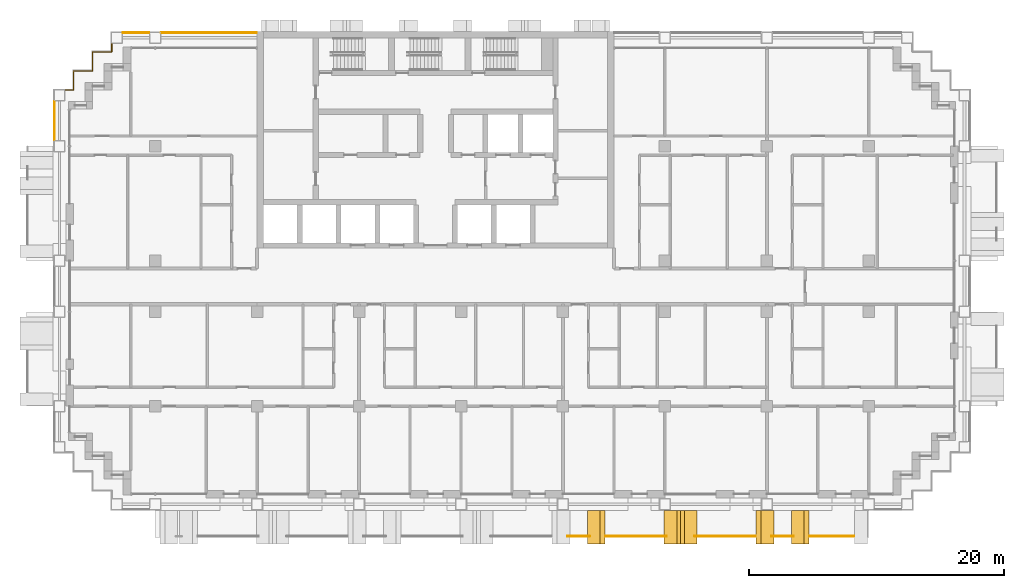
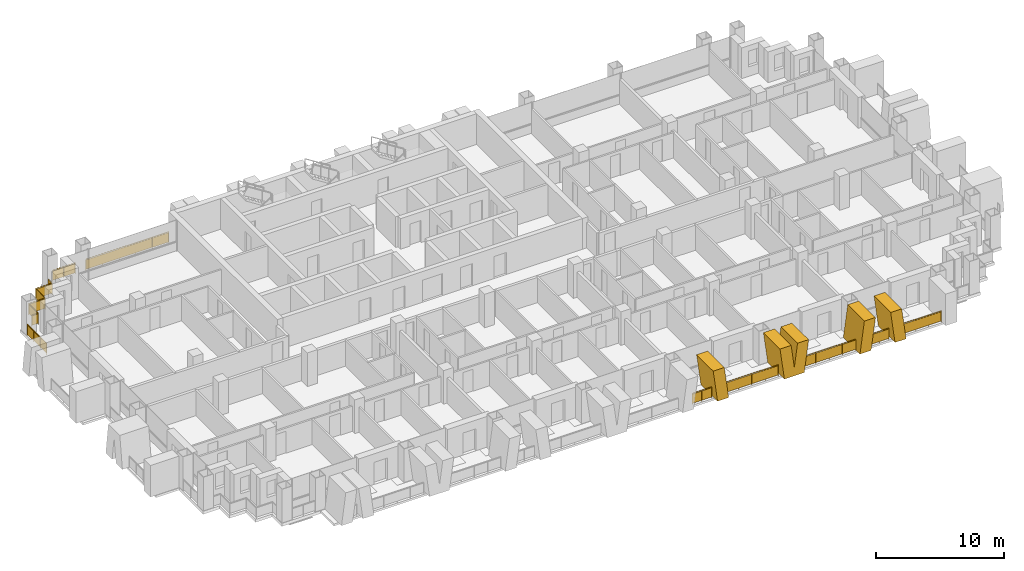
# One storey, part 16 of 18: 9 railings, 4 shading devices.
"""IFC4 building model written with IfcOpenShell, lengths in metres."""

import ifcopenshell
import ifcopenshell.guid

model = None  # the IFC model being written
_history = None  # IfcOwnerHistory: only IFC2X3 demands one
_inside = {}  # id of a spatial element -> (the spatial element, [elements in it])
_under = {}  # id of a project, library or spatial element -> (it, [spatial elements below it])
_declared = {}  # id of a project -> (the project, [libraries it declares])
_typed = {}  # id of a type object -> (the type object, [elements of that type])
_made_of = {}  # id of a material, layer set ... -> (it, [elements and type objects made of it])


def new_model(schema):
    """Start an empty IFC model of exactly this schema.

    Asked for "IFC4X3", IfcOpenShell would pick the latest addendum, in which some entities
    have other attributes; the version numbers below select the first issue.
    IFC2X3 requires an IfcOwnerHistory on every rooted entity: one is made here for all.
    """
    global model, _history
    if schema == "IFC4X3":
        model = ifcopenshell.file(schema_version=(4, 3, 0, 0))
    else:
        model = ifcopenshell.file(schema=schema)
    _inside.clear()
    _under.clear()
    _declared.clear()
    _typed.clear()
    _made_of.clear()
    _history = None
    if model.schema == "IFC2X3":
        org = make("IfcOrganization", Name="unknown")
        user = make(
            "IfcPersonAndOrganization",
            ThePerson=make("IfcPerson", FamilyName="unknown"),
            TheOrganization=org,
        )
        app = make(
            "IfcApplication",
            ApplicationDeveloper=org,
            Version="unknown",
            ApplicationFullName="unknown",
            ApplicationIdentifier="unknown",
        )
        _history = make(
            "IfcOwnerHistory",
            OwningUser=user,
            OwningApplication=app,
            ChangeAction="ADDED",
            CreationDate=0,
        )
    return model


def make(cls, **values):
    """One entity of the class cls with the attributes given. An attribute that is None is left unset."""
    return model.create_entity(
        cls, **{name: value for name, value in values.items() if value is not None}
    )


def rooted(cls, **values):
    """An entity with a GlobalId (a new one), such as an element, a storey or a relation."""
    return make(cls, GlobalId=ifcopenshell.guid.new(), OwnerHistory=_history, **values)


def si_unit(unit_type, name, prefix=None):
    """IfcSIUnit, for example si_unit("LENGTHUNIT", "METRE", prefix="MILLI")."""
    return make("IfcSIUnit", UnitType=unit_type, Prefix=prefix, Name=name)


def assignment(units):
    """IfcUnitAssignment: the units of a project."""
    return None if units is None else make("IfcUnitAssignment", Units=units)


def point(xyz):
    """IfcCartesianPoint."""
    return None if xyz is None else make("IfcCartesianPoint", Coordinates=xyz)


def direction(xyz):
    """IfcDirection."""
    return None if xyz is None else make("IfcDirection", DirectionRatios=xyz)


def frame(location, z_axis=None, x_axis=None):
    """IfcAxis2Placement3D, a coordinate frame: its origin and axes. An axis left out is left unset."""
    return make(
        "IfcAxis2Placement3D",
        Location=point(location),
        Axis=direction(z_axis),
        RefDirection=direction(x_axis),
    )


def frame_2d(location, x_axis=None):
    """IfcAxis2Placement2D, a coordinate frame in the plane: its origin and x axis."""
    return make(
        "IfcAxis2Placement2D", Location=point(location), RefDirection=direction(x_axis)
    )


def origin():
    """The frame at (0, 0, 0) with its axes left unset."""
    return frame((0.0, 0.0, 0.0))


def origin_2d():
    """The frame at (0, 0) in the plane with its x axis left unset."""
    return frame_2d((0.0, 0.0))


def place(relative_to, where):
    """IfcLocalPlacement: puts the frame where relative to a parent placement (None: the world)."""
    return make(
        "IfcLocalPlacement", PlacementRelTo=relative_to, RelativePlacement=where
    )


def context(
    kind, dimensions, precision=None, world=None, true_north=None, identifier=None
):
    """IfcGeometricRepresentationContext, for example the 3D "Model" context."""
    return make(
        "IfcGeometricRepresentationContext",
        ContextIdentifier=identifier,
        ContextType=kind,
        CoordinateSpaceDimension=dimensions,
        Precision=precision,
        WorldCoordinateSystem=world,
        TrueNorth=true_north,
    )


def subcontext(parent, identifier, kind, view, scale=None):
    """IfcGeometricRepresentationSubContext, for example "Body" below "Model"."""
    return make(
        "IfcGeometricRepresentationSubContext",
        ContextIdentifier=identifier,
        ContextType=kind,
        ParentContext=parent,
        TargetScale=scale,
        TargetView=view,
    )


def project(units=None, contexts=None):
    """IfcProject with its units and contexts."""
    return rooted(
        "IfcProject",
        Name="project",
        RepresentationContexts=contexts,
        UnitsInContext=assignment(units),
    )


def spatial(cls, under=None, at=None, **own):
    """A site, building, storey or space (cls), placed at a placement, below another one or the project."""
    s = rooted(cls, ObjectPlacement=at, **own)
    if under is not None:
        _under.setdefault(under.id(), (under, []))[1].append(s)
    return s


def polyline(points):
    """IfcPolyline through the points."""
    return make("IfcPolyline", Points=[point(p) for p in points])


def profile(cls, at=None, kind="AREA", **sizes):
    """A parametric profile (cls). Its sizes go by their IFC names, for example OverallWidth=200.0."""
    return make(cls, ProfileType=kind, Position=at, **sizes)


def rectangle(**sizes):
    """IfcRectangleProfileDef."""
    return profile("IfcRectangleProfileDef", **sizes)


def circle(**sizes):
    """IfcCircleProfileDef."""
    return profile("IfcCircleProfileDef", **sizes)


def outline(outer, holes=None, kind="AREA"):
    """IfcArbitraryClosedProfileDef: a profile drawn as a closed curve; with holes, ...WithVoids."""
    if holes is None:
        return make("IfcArbitraryClosedProfileDef", ProfileType=kind, OuterCurve=outer)
    return make(
        "IfcArbitraryProfileDefWithVoids",
        ProfileType=kind,
        OuterCurve=outer,
        InnerCurves=holes,
    )


def extrude(swept, where, along, depth):
    """IfcExtrudedAreaSolid: the profile swept, set in the frame where, extruded along a direction by depth."""
    return make(
        "IfcExtrudedAreaSolid",
        SweptArea=swept,
        Position=where,
        ExtrudedDirection=direction(along),
        Depth=depth,
    )


def shape(context_of_items, identifier, shape_type, items):
    """IfcShapeRepresentation: the items that make up one representation, for example the "Body"."""
    return make(
        "IfcShapeRepresentation",
        ContextOfItems=context_of_items,
        RepresentationIdentifier=identifier,
        RepresentationType=shape_type,
        Items=items,
    )


def material(Name=None, Category=None):
    """IfcMaterial."""
    return make("IfcMaterial", Name=Name, Category=Category)


def layer(
    of_material, thickness, ventilated=None, Name=None, Category=None, Priority=None
):
    """IfcMaterialLayer: one layer of a wall or slab, of a material (None: an air gap)."""
    return make(
        "IfcMaterialLayer",
        Material=of_material,
        LayerThickness=thickness,
        IsVentilated=ventilated,
        Name=Name,
        Category=Category,
        Priority=Priority,
    )


def layer_set(layers, Name=None):
    """IfcMaterialLayerSet."""
    return make("IfcMaterialLayerSet", MaterialLayers=layers, LayerSetName=Name)


def made_of(thing, what):
    """Note that an element or type object is made of a material, layer set ...; save() writes the relation."""
    if what is not None:
        _made_of.setdefault(what.id(), (what, []))[1].append(thing)
    return thing


def type_object(cls, material=None, **own):
    """A type object (cls), such as IfcWallType, which elements share."""
    return made_of(rooted(cls, **own), material)


def element(
    cls,
    number,
    at=None,
    inside=None,
    cuts=None,
    type_object=None,
    material=None,
    context=None,
    identifier="Body",
    shape_type=None,
    held_by="IfcProductDefinitionShape",
    body=None,
    shapes=None,
    **own,
):
    """One element of the class cls, such as IfcWall. Its Tag is "e" and its number.

    at: its placement. inside: the storey or other place that contains it. cuts: it is an
    opening in that element (IfcRelVoidsElement). A single representation is given by context,
    identifier, shape_type and body (its items); several are given by shapes. held_by: the class
    of the entity that holds the representations. save() writes the other relations.
    """
    e = rooted(cls, Tag="e%d" % number, ObjectPlacement=at, **own)
    if body is not None:
        shapes = [shape(context, identifier, shape_type, body)]
    if shapes is not None:
        e.Representation = make(held_by, Representations=shapes)
    if inside is not None:
        _inside.setdefault(inside.id(), (inside, []))[1].append(e)
    if cuts is not None:
        rooted(
            "IfcRelVoidsElement", RelatingBuildingElement=cuts, RelatedOpeningElement=e
        )
    if type_object is not None:
        _typed.setdefault(type_object.id(), (type_object, []))[1].append(e)
    return made_of(e, material)


def aggregate(whole, parts):
    """IfcRelAggregates: a whole, such as a stair, and the parts it consists of."""
    return rooted("IfcRelAggregates", RelatingObject=whole, RelatedObjects=parts)


def save(model, path):
    """Write the relations noted so far, then the file.

    IfcRelAggregates (storeys below a building ...), IfcRelContainedInSpatialStructure (elements
    in a storey), IfcRelDefinesByType, IfcRelAssociatesMaterial and IfcRelDeclares: one each for
    every whole, place, type object, material and project.
    """
    for whole, parts in _under.values():
        aggregate(whole, parts)
    for where, things in _inside.values():
        rooted(
            "IfcRelContainedInSpatialStructure",
            RelatedElements=things,
            RelatingStructure=where,
        )
    for kind, things in _typed.values():
        rooted("IfcRelDefinesByType", RelatedObjects=things, RelatingType=kind)
    for what, things in _made_of.values():
        rooted("IfcRelAssociatesMaterial", RelatedObjects=things, RelatingMaterial=what)
    for by, libraries in _declared.values():
        rooted("IfcRelDeclares", RelatingContext=by, RelatedDefinitions=libraries)
    model.write(path)


model = new_model("IFC4")

# Units and contexts
model_context = context("Model", 3, precision=1e-05, world=origin(), true_north=direction((0.0, 1.0)))
body_context = subcontext(model_context, "Body", "Model", "MODEL_VIEW")
ifc_project = project(units=[si_unit("LENGTHUNIT", "METRE"), si_unit("AREAUNIT", "SQUARE_METRE"), si_unit("VOLUMEUNIT", "CUBIC_METRE"), si_unit("PLANEANGLEUNIT", "RADIAN"), si_unit("MASSUNIT", "GRAM", prefix="KILO")], contexts=[model_context])

# Site, building, storey
site_placement = place(None, origin())
site = spatial("IfcSite", under=ifc_project, at=site_placement, CompositionType="ELEMENT")
building_placement = place(site_placement, origin())
building = spatial("IfcBuilding", under=site, at=building_placement, Name="Vidyagriha Tower", CompositionType="ELEMENT")
storey_placement = place(building_placement, frame((0.0, 0.0, 80.699951171875)))
storey = spatial("IfcBuildingStorey", under=building, at=storey_placement, Name="L20", CompositionType="ELEMENT", Elevation=80.699951171875)

# Railings
ifc_material_1 = material(Name="Steel ASTM A500 Grade C black painted", Category="steel")
railing_type_1 = type_object("IfcRailingType", Name="Balcony guard 1100", PredefinedType="BALUSTRADE", material=ifc_material_1)
railing_1_placement = place(storey_placement, frame((10.346435546875, -19.60009765625, 0.0)))
element("IfcRailing", 1, at=railing_1_placement, inside=storey, type_object=railing_type_1, Name="Balcony guard L20 R23.1-7", PredefinedType="BALUSTRADE", context=body_context, shape_type="SweptSolid", body=[
    extrude(circle(Radius=0.02490234375, at=origin_2d()), frame((0.0, 0.0, 1.0751953125), z_axis=(1.0, 0.0, 0.0), x_axis=(0.0, 1.0, 0.0)), (0.0, 0.0, 1.0), 1.757080078125),
    extrude(circle(Radius=0.02001953125, at=origin_2d()), origin(), (0.0, 0.0, 1.0), 1.050048828125),
    extrude(circle(Radius=0.02001953125, at=origin_2d()), frame((0.87841796875, 0.0, 0.0)), (0.0, 0.0, 1.0), 1.050048828125),
    extrude(circle(Radius=0.02001953125, at=origin_2d()), frame((1.757080078125, 0.0, 0.0)), (0.0, 0.0, 1.0), 1.050048828125),
    extrude(rectangle(XDim=0.010009765625, YDim=0.900146484375, at=origin_2d()), frame((0.0, 0.0, 0.550048828125), z_axis=(1.0, 0.0, 0.0), x_axis=(0.0, 1.0, 0.0)), (0.0, 0.0, 1.0), 1.757080078125),
])
railing_2_placement = place(storey_placement, frame((13.35498046875, -19.60009765625, 0.0)))
element("IfcRailing", 2, at=railing_2_placement, inside=storey, type_object=railing_type_1, Name="Balcony guard L20 R23.1-8", PredefinedType="BALUSTRADE", context=body_context, shape_type="SweptSolid", body=[
    extrude(circle(Radius=0.02490234375, at=origin_2d()), frame((0.0, 0.0, 1.0751953125), z_axis=(1.0, 0.0, 0.0), x_axis=(0.0, 1.0, 0.0)), (0.0, 0.0, 1.0), 4.773681640625),
    extrude(circle(Radius=0.02001953125, at=origin_2d()), origin(), (0.0, 0.0, 1.0), 1.050048828125),
    extrude(circle(Radius=0.02001953125, at=origin_2d()), frame((1.193359375, 0.0, 0.0)), (0.0, 0.0, 1.0), 1.050048828125),
    extrude(circle(Radius=0.02001953125, at=origin_2d()), frame((2.38671875, 0.0, 0.0)), (0.0, 0.0, 1.0), 1.050048828125),
    extrude(circle(Radius=0.02001953125, at=origin_2d()), frame((3.580322265625, 0.0, 0.0)), (0.0, 0.0, 1.0), 1.050048828125),
    extrude(circle(Radius=0.02001953125, at=origin_2d()), frame((4.773681640625, 0.0, 0.0)), (0.0, 0.0, 1.0), 1.050048828125),
    extrude(rectangle(XDim=0.010009765625, YDim=0.900146484375, at=origin_2d()), frame((0.0, 0.0, 0.550048828125), z_axis=(1.0, 0.0, 0.0), x_axis=(0.0, 1.0, 0.0)), (0.0, 0.0, 1.0), 4.773681640625),
])
railing_3_placement = place(storey_placement, frame((20.321533203125, -19.60009765625, 0.0)))
element("IfcRailing", 3, at=railing_3_placement, inside=storey, type_object=railing_type_1, Name="Balcony guard L20 R23.1-9", PredefinedType="BALUSTRADE", context=body_context, shape_type="SweptSolid", body=[
    extrude(circle(Radius=0.02490234375, at=origin_2d()), frame((0.0, 0.0, 1.0751953125), z_axis=(1.0, 0.0, 0.0), x_axis=(0.0, 1.0, 0.0)), (0.0, 0.0, 1.0), 4.7734375),
    extrude(circle(Radius=0.02001953125, at=origin_2d()), origin(), (0.0, 0.0, 1.0), 1.050048828125),
    extrude(circle(Radius=0.02001953125, at=origin_2d()), frame((1.193359375, 0.0, 0.0)), (0.0, 0.0, 1.0), 1.050048828125),
    extrude(circle(Radius=0.02001953125, at=origin_2d()), frame((2.38671875, 0.0, 0.0)), (0.0, 0.0, 1.0), 1.050048828125),
    extrude(circle(Radius=0.02001953125, at=origin_2d()), frame((3.580078125, 0.0, 0.0)), (0.0, 0.0, 1.0), 1.050048828125),
    extrude(circle(Radius=0.02001953125, at=origin_2d()), frame((4.7734375, 0.0, 0.0)), (0.0, 0.0, 1.0), 1.050048828125),
    extrude(rectangle(XDim=0.010009765625, YDim=0.900146484375, at=origin_2d()), frame((0.0, 0.0, 0.550048828125), z_axis=(1.0, 0.0, 0.0), x_axis=(0.0, 1.0, 0.0)), (0.0, 0.0, 1.0), 4.7734375),
])
railing_4_placement = place(storey_placement, frame((26.346435546875, -19.60009765625, 0.0)))
element("IfcRailing", 4, at=railing_4_placement, inside=storey, type_object=railing_type_1, Name="Balcony guard L20 R23.1-10", PredefinedType="BALUSTRADE", context=body_context, shape_type="SweptSolid", body=[
    extrude(circle(Radius=0.02490234375, at=origin_2d()), frame((0.0, 0.0, 1.0751953125), z_axis=(1.0, 0.0, 0.0), x_axis=(0.0, 1.0, 0.0)), (0.0, 0.0, 1.0), 1.757080078125),
    extrude(circle(Radius=0.02001953125, at=origin_2d()), origin(), (0.0, 0.0, 1.0), 1.050048828125),
    extrude(circle(Radius=0.02001953125, at=origin_2d()), frame((0.87841796875, 0.0, 0.0)), (0.0, 0.0, 1.0), 1.050048828125),
    extrude(circle(Radius=0.02001953125, at=origin_2d()), frame((1.757080078125, 0.0, 0.0)), (0.0, 0.0, 1.0), 1.050048828125),
    extrude(rectangle(XDim=0.010009765625, YDim=0.900146484375, at=origin_2d()), frame((0.0, 0.0, 0.550048828125), z_axis=(1.0, 0.0, 0.0), x_axis=(0.0, 1.0, 0.0)), (0.0, 0.0, 1.0), 1.757080078125),
])
railing_5_placement = place(storey_placement, frame((29.35498046875, -19.60009765625, 0.0)))
element("IfcRailing", 5, at=railing_5_placement, inside=storey, type_object=railing_type_1, Name="Balcony guard L20 R23.1-11", PredefinedType="BALUSTRADE", context=body_context, shape_type="SweptSolid", body=[
    extrude(circle(Radius=0.02490234375, at=origin_2d()), frame((0.0, 0.0, 1.0751953125), z_axis=(1.0, 0.0, 0.0), x_axis=(0.0, 1.0, 0.0)), (0.0, 0.0, 1.0), 3.469970703125),
    extrude(circle(Radius=0.02001953125, at=origin_2d()), origin(), (0.0, 0.0, 1.0), 1.050048828125),
    extrude(circle(Radius=0.02001953125, at=origin_2d()), frame((1.15673828125, 0.0, 0.0)), (0.0, 0.0, 1.0), 1.050048828125),
    extrude(circle(Radius=0.02001953125, at=origin_2d()), frame((2.313232421875, 0.0, 0.0)), (0.0, 0.0, 1.0), 1.050048828125),
    extrude(circle(Radius=0.02001953125, at=origin_2d()), frame((3.469970703125, 0.0, 0.0)), (0.0, 0.0, 1.0), 1.050048828125),
    extrude(rectangle(XDim=0.010009765625, YDim=0.900146484375, at=origin_2d()), frame((0.0, 0.0, 0.550048828125), z_axis=(1.0, 0.0, 0.0), x_axis=(0.0, 1.0, 0.0)), (0.0, 0.0, 1.0), 3.469970703125),
])

# Shading devices
ifc_material_2 = material(Name="Precast concrete C40/50 with buff brick facing", Category="concrete")
ifc_layer_1 = layer(ifc_material_2, 1.0)
ifc_layer_set_1 = layer_set([ifc_layer_1], Name="Precast concrete C40/50 with buff brick facing")
shading_device_type_1 = type_object("IfcShadingDeviceType", Name="Brick-faced blade fin arm leaning 8 degrees", PredefinedType="USERDEFINED", material=ifc_layer_set_1)
shading_device_1_placement = place(storey_placement, frame((11.909912109375, -18.89990234375, 0.0)))
element("IfcShadingDevice", 6, at=shading_device_1_placement, inside=storey, type_object=shading_device_type_1, Name="Leaning blade fin L20 R23.3390b", ObjectType="BLADE FIN", PredefinedType="USERDEFINED", context=body_context, shape_type="SweptSolid", body=[
    extrude(outline(polyline([(0.39501953125, 0.0), (1.39501953125, 0.0), (1.0, 3.0), (0.0, 3.0), (0.39501953125, 0.0)])), frame((0.0, 1.300048828125, 0.0), z_axis=(0.0, -1.0, 0.0), x_axis=(1.0, 0.0, 0.0)), (0.0, 0.0, 1.0), 2.60009765625),
])
shading_device_2_placement = place(storey_placement, frame((25.14501953125, -18.89990234375, 0.0)))
element("IfcShadingDevice", 7, at=shading_device_2_placement, inside=storey, type_object=shading_device_type_1, Name="Leaning blade fin L20 R23.4990a", ObjectType="BLADE FIN", PredefinedType="USERDEFINED", context=body_context, shape_type="SweptSolid", body=[
    extrude(outline(polyline([(0.0, 0.0), (1.0, 0.0), (1.39501953125, 3.0), (0.39501953125, 3.0), (0.0, 0.0)])), frame((0.0, 1.300048828125, 0.0), z_axis=(0.0, -1.0, 0.0), x_axis=(1.0, 0.0, 0.0)), (0.0, 0.0, 1.0), 2.60009765625),
])
shading_device_3_placement = place(storey_placement, frame((27.909912109375, -18.89990234375, 0.0)))
element("IfcShadingDevice", 8, at=shading_device_3_placement, inside=storey, type_object=shading_device_type_1, Name="Leaning blade fin L20 R23.4990b", ObjectType="BLADE FIN", PredefinedType="USERDEFINED", context=body_context, shape_type="SweptSolid", body=[
    extrude(outline(polyline([(0.39501953125, 0.0), (1.39501953125, 0.0), (1.0, 3.0), (0.0, 3.0), (0.39501953125, 0.0)])), frame((0.0, 1.300048828125, 0.0), z_axis=(0.0, -1.0, 0.0), x_axis=(1.0, 0.0, 0.0)), (0.0, 0.0, 1.0), 2.60009765625),
])
ifc_material_3 = material(Name="Precast concrete C40/50 with buff brick facing", Category="concrete")
ifc_layer_2 = layer(ifc_material_3, 1.0)
ifc_layer_set_2 = layer_set([ifc_layer_2], Name="Precast concrete C40/50 with buff brick facing")
shading_device_type_2 = type_object("IfcShadingDeviceType", Name="Brick-faced blade fin forking 8 degrees", PredefinedType="USERDEFINED", material=ifc_layer_set_2)
shading_device_4_placement = place(storey_placement, frame((17.93505859375, -18.89990234375, 0.0)))
element("IfcShadingDevice", 9, at=shading_device_4_placement, inside=storey, type_object=shading_device_type_2, Name="Forked blade fin L20 R23.4190a", ObjectType="BLADE FIN", PredefinedType="USERDEFINED", context=body_context, shape_type="SweptSolid", body=[
    extrude(outline(polyline([(0.39501953125, 0.0), (2.18505859375, 0.0), (2.580078125, 3.0), (1.580078125, 3.0), (1.2900390625, 0.797607421875), (1.0, 3.0), (0.0, 3.0), (0.39501953125, 0.0)])), frame((0.0, 1.300048828125, 0.0), z_axis=(0.0, -1.0, 0.0), x_axis=(1.0, 0.0, 0.0)), (0.0, 0.0, 1.0), 2.60009765625),
])

# Railings
ifc_material_4 = material(Name="Steel ASTM A500 Grade C black painted", Category="steel")
railing_type_2 = type_object("IfcRailingType", Name="Gallery guard 1100", PredefinedType="GUARDRAIL", material=ifc_material_4)
railing_6_placement = place(storey_placement, frame((-29.89990234375, 11.47998046875, 0.0)))
element("IfcRailing", 10, at=railing_6_placement, inside=storey, type_object=railing_type_2, Name="Gallery guard L20 3", PredefinedType="GUARDRAIL", context=body_context, shape_type="SweptSolid", body=[
    extrude(circle(Radius=0.02490234375, at=origin_2d()), frame((0.0, 0.0, 1.0751953125), z_axis=(0.0, 1.0, 0.0), x_axis=(-1.0, 0.0, 0.0)), (0.0, 0.0, 1.0), 3.0400390625),
    extrude(circle(Radius=0.02001953125, at=origin_2d()), origin(), (0.0, 0.0, 1.0), 1.050048828125),
    extrude(circle(Radius=0.02001953125, at=origin_2d()), frame((0.0, 1.013427734375, 0.0)), (0.0, 0.0, 1.0), 1.050048828125),
    extrude(circle(Radius=0.02001953125, at=origin_2d()), frame((0.0, 2.026611328125, 0.0)), (0.0, 0.0, 1.0), 1.050048828125),
    extrude(circle(Radius=0.02001953125, at=origin_2d()), frame((0.0, 3.0400390625, 0.0)), (0.0, 0.0, 1.0), 1.050048828125),
    extrude(rectangle(XDim=0.010009765625, YDim=0.900146484375, at=origin_2d()), frame((0.0, 0.0, 0.550048828125), z_axis=(0.0, 1.0, 0.0), x_axis=(-1.0, 0.0, 0.0)), (0.0, 0.0, 1.0), 3.0400390625),
])
railing_7_placement = place(storey_placement, frame((-29.02001953125, 15.39990234375, 0.0)))
element("IfcRailing", 11, at=railing_7_placement, inside=storey, type_object=railing_type_2, Name="Gallery guard L20 5", PredefinedType="GUARDRAIL", context=body_context, shape_type="SweptSolid", body=[
    extrude(circle(Radius=0.02490234375, at=origin_2d()), frame((0.0, 0.0, 1.0751953125), z_axis=(1.0, 0.0, 0.0), x_axis=(0.0, 1.0, 0.0)), (0.0, 0.0, 1.0), 0.6201171875),
    extrude(circle(Radius=0.02490234375, at=origin_2d()), frame((0.6201171875, 0.0, 1.0751953125), z_axis=(0.0, 1.0, 0.0), x_axis=(-1.0, 0.0, 0.0)), (0.0, 0.0, 1.0), 1.5),
    extrude(circle(Radius=0.02490234375, at=origin_2d()), frame((0.6201171875, 1.5, 1.0751953125), z_axis=(1.0, 0.0, 0.0), x_axis=(0.0, 1.0, 0.0)), (0.0, 0.0, 1.0), 1.5),
    extrude(circle(Radius=0.02490234375, at=origin_2d()), frame((2.1201171875, 1.5, 1.0751953125), z_axis=(0.0, 1.0, 0.0), x_axis=(-1.0, 0.0, 0.0)), (0.0, 0.0, 1.0), 1.5),
    extrude(circle(Radius=0.02490234375, at=origin_2d()), frame((2.1201171875, 3.0, 1.0751953125), z_axis=(1.0, 0.0, 0.0), x_axis=(0.0, 1.0, 0.0)), (0.0, 0.0, 1.0), 1.5),
    extrude(circle(Radius=0.02490234375, at=origin_2d()), frame((3.6201171875, 3.0, 1.0751953125), z_axis=(0.0, 1.0, 0.0), x_axis=(-1.0, 0.0, 0.0)), (0.0, 0.0, 1.0), 0.6201171875),
    extrude(circle(Radius=0.02001953125, at=origin_2d()), origin(), (0.0, 0.0, 1.0), 1.050048828125),
    extrude(circle(Radius=0.02001953125, at=origin_2d()), frame((0.6201171875, 0.0, 0.0)), (0.0, 0.0, 1.0), 1.050048828125),
    extrude(circle(Radius=0.02001953125, at=origin_2d()), frame((0.6201171875, 1.5, 0.0)), (0.0, 0.0, 1.0), 1.050048828125),
    extrude(circle(Radius=0.02001953125, at=origin_2d()), frame((2.1201171875, 1.5, 0.0)), (0.0, 0.0, 1.0), 1.050048828125),
    extrude(circle(Radius=0.02001953125, at=origin_2d()), frame((2.1201171875, 3.0, 0.0)), (0.0, 0.0, 1.0), 1.050048828125),
    extrude(circle(Radius=0.02001953125, at=origin_2d()), frame((3.6201171875, 3.0, 0.0)), (0.0, 0.0, 1.0), 1.050048828125),
    extrude(circle(Radius=0.02001953125, at=origin_2d()), frame((3.6201171875, 3.6201171875, 0.0)), (0.0, 0.0, 1.0), 1.050048828125),
    extrude(rectangle(XDim=0.010009765625, YDim=0.900146484375, at=origin_2d()), frame((0.0, 0.0, 0.550048828125), z_axis=(1.0, 0.0, 0.0), x_axis=(0.0, 1.0, 0.0)), (0.0, 0.0, 1.0), 0.6201171875),
    extrude(rectangle(XDim=0.010009765625, YDim=0.900146484375, at=origin_2d()), frame((0.6201171875, 0.0, 0.550048828125), z_axis=(0.0, 1.0, 0.0), x_axis=(-1.0, 0.0, 0.0)), (0.0, 0.0, 1.0), 1.5),
    extrude(rectangle(XDim=0.010009765625, YDim=0.900146484375, at=origin_2d()), frame((0.6201171875, 1.5, 0.550048828125), z_axis=(1.0, 0.0, 0.0), x_axis=(0.0, 1.0, 0.0)), (0.0, 0.0, 1.0), 1.5),
    extrude(rectangle(XDim=0.010009765625, YDim=0.900146484375, at=origin_2d()), frame((2.1201171875, 1.5, 0.550048828125), z_axis=(0.0, 1.0, 0.0), x_axis=(-1.0, 0.0, 0.0)), (0.0, 0.0, 1.0), 1.5),
    extrude(rectangle(XDim=0.010009765625, YDim=0.900146484375, at=origin_2d()), frame((2.1201171875, 3.0, 0.550048828125), z_axis=(1.0, 0.0, 0.0), x_axis=(0.0, 1.0, 0.0)), (0.0, 0.0, 1.0), 1.5),
    extrude(rectangle(XDim=0.010009765625, YDim=0.900146484375, at=origin_2d()), frame((3.6201171875, 3.0, 0.550048828125), z_axis=(0.0, 1.0, 0.0), x_axis=(-1.0, 0.0, 0.0)), (0.0, 0.0, 1.0), 0.6201171875),
])
railing_8_placement = place(storey_placement, frame((-24.52001953125, 19.89990234375, 0.0)))
element("IfcRailing", 12, at=railing_8_placement, inside=storey, type_object=railing_type_2, Name="Gallery guard L20 7", PredefinedType="GUARDRAIL", context=body_context, shape_type="SweptSolid", body=[
    extrude(circle(Radius=0.02490234375, at=origin_2d()), frame((0.0, 0.0, 1.0751953125), z_axis=(1.0, 0.0, 0.0), x_axis=(0.0, 1.0, 0.0)), (0.0, 0.0, 1.0), 2.0400390625),
    extrude(circle(Radius=0.02001953125, at=origin_2d()), origin(), (0.0, 0.0, 1.0), 1.050048828125),
    extrude(circle(Radius=0.02001953125, at=origin_2d()), frame((1.02001953125, 0.0, 0.0)), (0.0, 0.0, 1.0), 1.050048828125),
    extrude(circle(Radius=0.02001953125, at=origin_2d()), frame((2.0400390625, 0.0, 0.0)), (0.0, 0.0, 1.0), 1.050048828125),
    extrude(rectangle(XDim=0.010009765625, YDim=0.900146484375, at=origin_2d()), frame((0.0, 0.0, 0.550048828125), z_axis=(1.0, 0.0, 0.0), x_axis=(0.0, 1.0, 0.0)), (0.0, 0.0, 1.0), 2.0400390625),
])
railing_9_placement = place(storey_placement, frame((-21.52001953125, 19.89990234375, 0.0)))
element("IfcRailing", 13, at=railing_9_placement, inside=storey, type_object=railing_type_2, Name="Gallery guard L20 8", PredefinedType="GUARDRAIL", context=body_context, shape_type="SweptSolid", body=[
    extrude(circle(Radius=0.02490234375, at=origin_2d()), frame((0.0, 0.0, 1.0751953125), z_axis=(1.0, 0.0, 0.0), x_axis=(0.0, 1.0, 0.0)), (0.0, 0.0, 1.0), 7.489990234375),
    extrude(circle(Radius=0.02001953125, at=origin_2d()), origin(), (0.0, 0.0, 1.0), 1.050048828125),
    extrude(circle(Radius=0.02001953125, at=origin_2d()), frame((1.498046875, 0.0, 0.0)), (0.0, 0.0, 1.0), 1.050048828125),
    extrude(circle(Radius=0.02001953125, at=origin_2d()), frame((2.99609375, 0.0, 0.0)), (0.0, 0.0, 1.0), 1.050048828125),
    extrude(circle(Radius=0.02001953125, at=origin_2d()), frame((4.493896484375, 0.0, 0.0)), (0.0, 0.0, 1.0), 1.050048828125),
    extrude(circle(Radius=0.02001953125, at=origin_2d()), frame((5.991943359375, 0.0, 0.0)), (0.0, 0.0, 1.0), 1.050048828125),
    extrude(circle(Radius=0.02001953125, at=origin_2d()), frame((7.489990234375, 0.0, 0.0)), (0.0, 0.0, 1.0), 1.050048828125),
    extrude(rectangle(XDim=0.010009765625, YDim=0.900146484375, at=origin_2d()), frame((0.0, 0.0, 0.550048828125), z_axis=(1.0, 0.0, 0.0), x_axis=(0.0, 1.0, 0.0)), (0.0, 0.0, 1.0), 7.489990234375),
])

save(model, "model.ifc")
